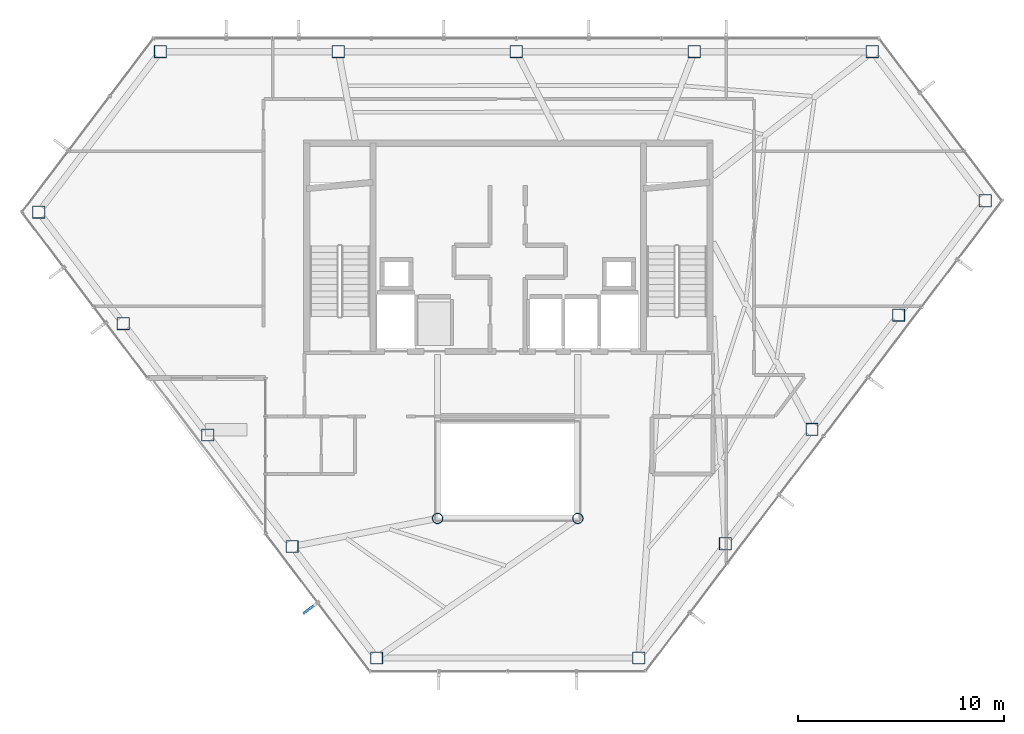
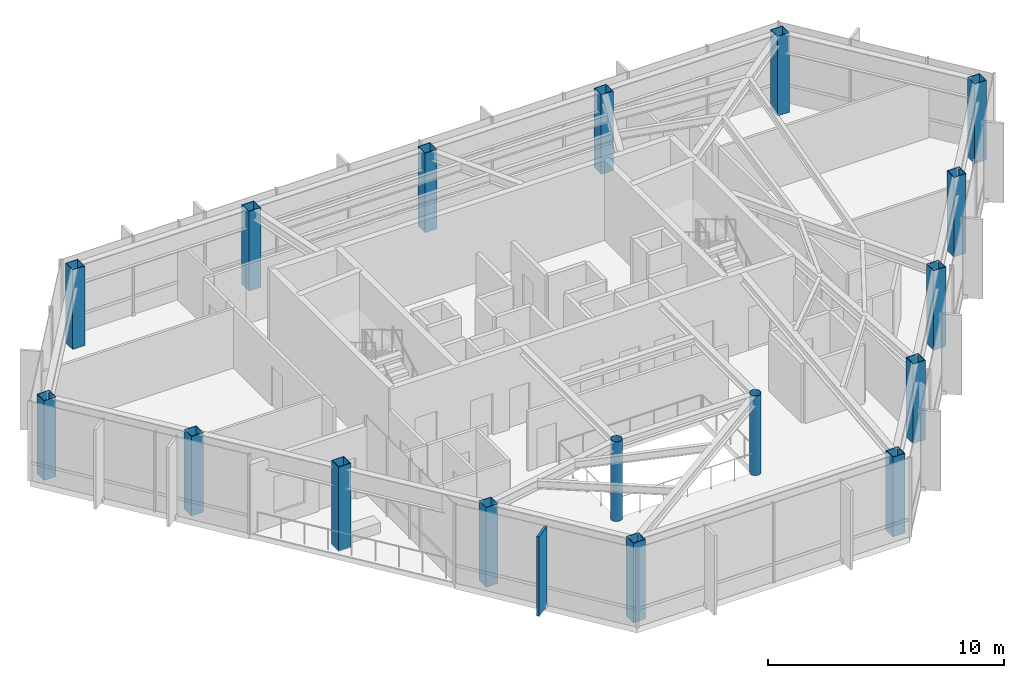
# One storey, part 1 of 23: 17 columns, 1 member, 1 element without a shape of its own.
"""IFC4 building model written with IfcOpenShell, lengths in metres."""

from ifc_helpers import new_model, si_unit, direction, frame, origin, origin_2d, place, context, subcontext, project, spatial, rectangle, hollow_rectangle, hollow_circle, extrude, material, layer, layer_set, material_profile, profile_set, type_object, element, aggregate, save


model = new_model("IFC4")

# Units and contexts
model_context = context("Model", 3, precision=1e-05, world=origin(), true_north=direction((0.0, 1.0)))
body_context = subcontext(model_context, "Body", "Model", "MODEL_VIEW")
ifc_project = project(units=[si_unit("LENGTHUNIT", "METRE"), si_unit("AREAUNIT", "SQUARE_METRE"), si_unit("VOLUMEUNIT", "CUBIC_METRE"), si_unit("PLANEANGLEUNIT", "RADIAN"), si_unit("MASSUNIT", "GRAM", prefix="KILO")], contexts=[model_context])

# Site, building, storey
site_placement = place(None, origin())
site = spatial("IfcSite", under=ifc_project, at=site_placement, CompositionType="ELEMENT")
building_placement = place(site_placement, origin())
building = spatial("IfcBuilding", under=site, at=building_placement, Name="Zarrinselat Tower", CompositionType="ELEMENT")
storey_placement = place(building_placement, frame((0.0, 0.0, 199.919921875)))
storey = spatial("IfcBuildingStorey", under=building, at=storey_placement, Name="L49", CompositionType="ELEMENT", Elevation=199.919921875)

# Columns
ifc_material_1 = material(Name="Steel S355J2", Category="steel")
ifc_material_profile_1 = material_profile(ifc_material_1, hollow_circle(Radius=0.25390625, WallThickness=0.02001953125, at=origin_2d()), Name="CHS 508x20")
ifc_profile_set_1 = profile_set([ifc_material_profile_1], Name="Steel S355J2")
column_type_1 = type_object("IfcColumnType", Name="COL-CHS508", PredefinedType="COLUMN", material=ifc_profile_set_1)
for number, where, z_axis, x_axis, name in (
    (1, (35.0, 25.199951171875, 0.0), (0.0, 0.0, 1.0), (1.0, 0.0, 0.0), "L49 Atrium Corner Column 1"),
    (2, (41.800048828125, 25.199951171875, 0.0), (0.0, 0.0, 1.0), (1.0, 0.0, 0.0), "L49 Atrium Corner Column 2"),
):
    element("IfcColumn", number, at=place(storey_placement, frame(where, z_axis=z_axis, x_axis=x_axis)), inside=storey, type_object=column_type_1, Name=name, PredefinedType="COLUMN", context=body_context, shape_type="SweptSolid", body=[
        extrude(hollow_circle(Radius=0.25390625, WallThickness=0.02001953125, at=origin_2d()), origin(), (0.0, 0.0, 1.0), 4.1201171875),
    ])
ifc_material_2 = material(Name="Steel S355J2", Category="steel")
ifc_material_profile_2 = material_profile(ifc_material_2, hollow_rectangle(XDim=0.60009765625, YDim=0.60009765625, WallThickness=0.030029296875, at=origin_2d()), Name="SHS 600x600x30")
ifc_profile_set_2 = profile_set([ifc_material_profile_2], Name="Steel S355J2")
column_type_2 = type_object("IfcColumnType", Name="COL-SHS600", PredefinedType="COLUMN", material=ifc_profile_set_2)
for number, where, z_axis, x_axis, name in (
    (3, (56.07958984375, 47.839111328125, 0.0), (0.0, 0.0, 1.0), (1.0, 0.0, 0.0), "L49 Framed-Tube Column T01"),
    (4, (47.447998046875, 47.839111328125, 0.0), (0.0, 0.0, 1.0), (1.0, 0.0, 0.0), "L49 Framed-Tube Column T02"),
    (5, (38.816162109375, 47.839111328125, 0.0), (0.0, 0.0, 1.0), (1.0, 0.0, 0.0), "L49 Framed-Tube Column T03"),
    (6, (30.1845703125, 47.839111328125, 0.0), (0.0, 0.0, 1.0), (1.0, 0.0, 0.0), "L49 Framed-Tube Column T04"),
    (7, (21.552978515625, 47.839111328125, 0.0), (0.0, 0.0, 1.0), (1.0, 0.0, 0.0), "L49 Framed-Tube Column T05"),
    (8, (15.658203125, 40.057861328125, 0.0), (0.0, 0.0, 1.0), (1.0, 0.0, 0.0), "L49 Framed-Tube Column T06"),
    (9, (19.754150390625, 34.651123046875, 0.0), (0.0, 0.0, 1.0), (1.0, 0.0, 0.0), "L49 Framed-Tube Column T07"),
):
    element("IfcColumn", number, at=place(storey_placement, frame(where, z_axis=z_axis, x_axis=x_axis)), inside=storey, type_object=column_type_2, Name=name, PredefinedType="COLUMN", context=body_context, shape_type="SweptSolid", body=[
        extrude(hollow_rectangle(XDim=0.60009765625, YDim=0.60009765625, WallThickness=0.030029296875, at=origin_2d()), origin(), (0.0, 0.0, 1.0), 4.1201171875),
    ])
column_placement = place(storey_placement, frame((23.850341796875, 29.244384765625, 0.0), z_axis=(0.0, 0.0, 1.0), x_axis=(1.0, 0.0, 0.0)))
element("IfcColumn", 10, at=column_placement, inside=storey, type_object=column_type_2, Name="L49 Framed-Tube Column T08", PredefinedType="COLUMN", context=body_context, shape_type="SweptSolid", body=[
    extrude(hollow_rectangle(XDim=0.60009765625, YDim=0.60009765625, WallThickness=0.030029296875, at=origin_2d()), origin(), (0.0, 0.0, 1.0), 4.380126953125),
])
for number, where, z_axis, x_axis, name in (
    (11, (27.9462890625, 23.83740234375, 0.0), (0.0, 0.0, 1.0), (1.0, 0.0, 0.0), "L49 Framed-Tube Column T09"),
    (12, (32.04248046875, 18.4306640625, 0.0), (0.0, 0.0, 1.0), (1.0, 0.0, 0.0), "L49 Framed-Tube Column T10"),
    (13, (44.757568359375, 18.4306640625, 0.0), (0.0, 0.0, 1.0), (1.0, 0.0, 0.0), "L49 Framed-Tube Column T11"),
    (14, (48.957763671875, 23.974853515625, 0.0), (0.0, 0.0, 1.0), (1.0, 0.0, 0.0), "L49 Framed-Tube Column T12"),
    (15, (53.15771484375, 29.51904296875, 0.0), (0.0, 0.0, 1.0), (1.0, 0.0, 0.0), "L49 Framed-Tube Column T13"),
    (16, (57.35791015625, 35.063232421875, 0.0), (0.0, 0.0, 1.0), (1.0, 0.0, 0.0), "L49 Framed-Tube Column T14"),
    (17, (61.55810546875, 40.607421875, 0.0), (0.0, 0.0, 1.0), (1.0, 0.0, 0.0), "L49 Framed-Tube Column T15"),
):
    element("IfcColumn", number, at=place(storey_placement, frame(where, z_axis=z_axis, x_axis=x_axis)), inside=storey, type_object=column_type_2, Name=name, PredefinedType="COLUMN", context=body_context, shape_type="SweptSolid", body=[
        extrude(hollow_rectangle(XDim=0.60009765625, YDim=0.60009765625, WallThickness=0.030029296875, at=origin_2d()), origin(), (0.0, 0.0, 1.0), 4.1201171875),
    ])

# Curtain wall, member
ifc_material_3 = material(Name="Extruded Aluminium Alloy EN AW-6063 T6", Category="aluminium")
ifc_layer = layer(ifc_material_3, 0.195068359375)
ifc_layer_set = layer_set([ifc_layer], Name="Extruded Aluminium Alloy EN AW-6063 T6")
curtain_wall_type = type_object("IfcCurtainWallType", Name="CWS-GDN", PredefinedType="NOTDEFINED", material=ifc_layer_set)
curtain_wall_placement = place(storey_placement, origin())
curtain_wall = element("IfcCurtainWall", 18, at=curtain_wall_placement, inside=storey, type_object=curtain_wall_type, Name="L49 Unitised Curtain Wall CW-L49-E06", PredefinedType="NOTDEFINED")
ifc_material_4 = material(Name="Honed Cream Travertine Stone", Category="masonry")
ifc_material_profile_3 = material_profile(ifc_material_4, rectangle(XDim=0.1201171875, YDim=0.85009765625, at=origin_2d()), Name="FIN 850x120")
ifc_profile_set_3 = profile_set([ifc_material_profile_3], Name="Honed Cream Travertine Stone")
member_type = type_object("IfcMemberType", Name="MEM-STONE-FIN", PredefinedType="USERDEFINED", material=ifc_profile_set_3)
member_placement = place(storey_placement, frame((28.82177734375, 20.843505859375, 0.0), z_axis=(0.0, 0.0, 1.0), x_axis=(-0.603858445775, 0.797091574078, 0.0)))
member = element("IfcMember", 19, at=member_placement, type_object=member_type, Name="L49 Stone Shading Fin CW-L49-E06-01", ObjectType="FIN", PredefinedType="USERDEFINED", context=body_context, shape_type="SweptSolid", body=[
    extrude(rectangle(XDim=0.1201171875, YDim=0.85009765625, at=origin_2d()), origin(), (0.0, 0.0, 1.0), 4.1201171875),
])
aggregate(curtain_wall, [member])

save(model, "model.ifc")
